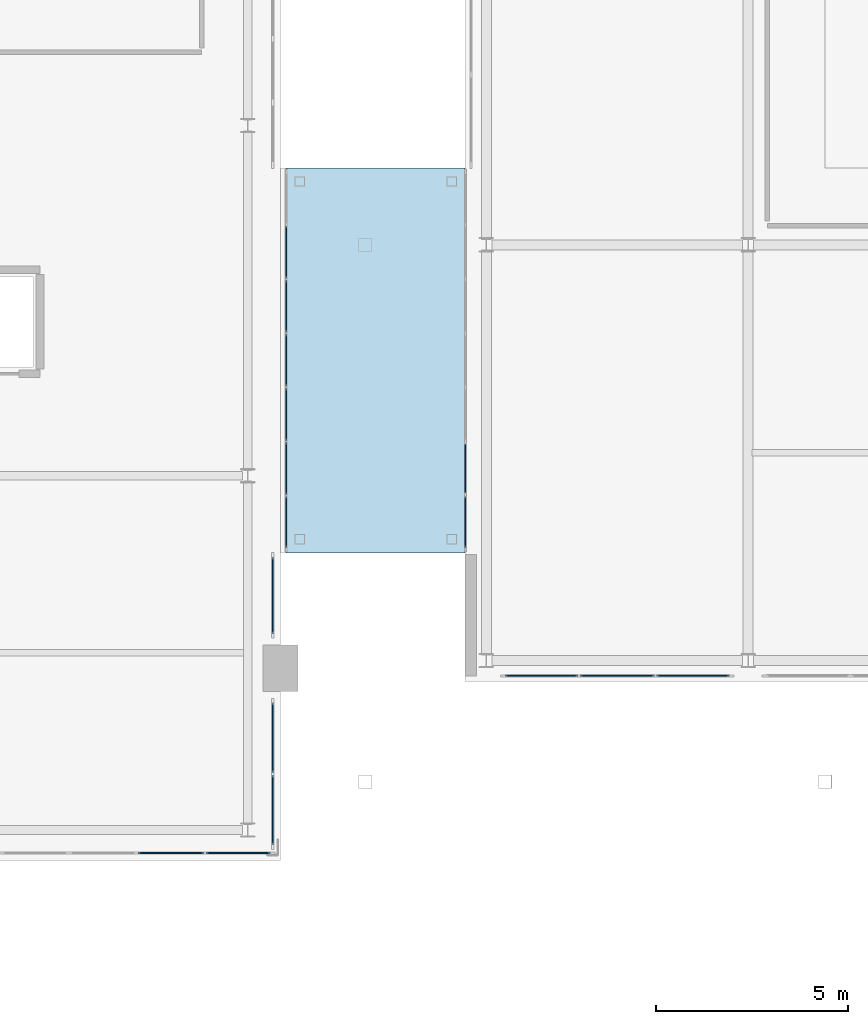
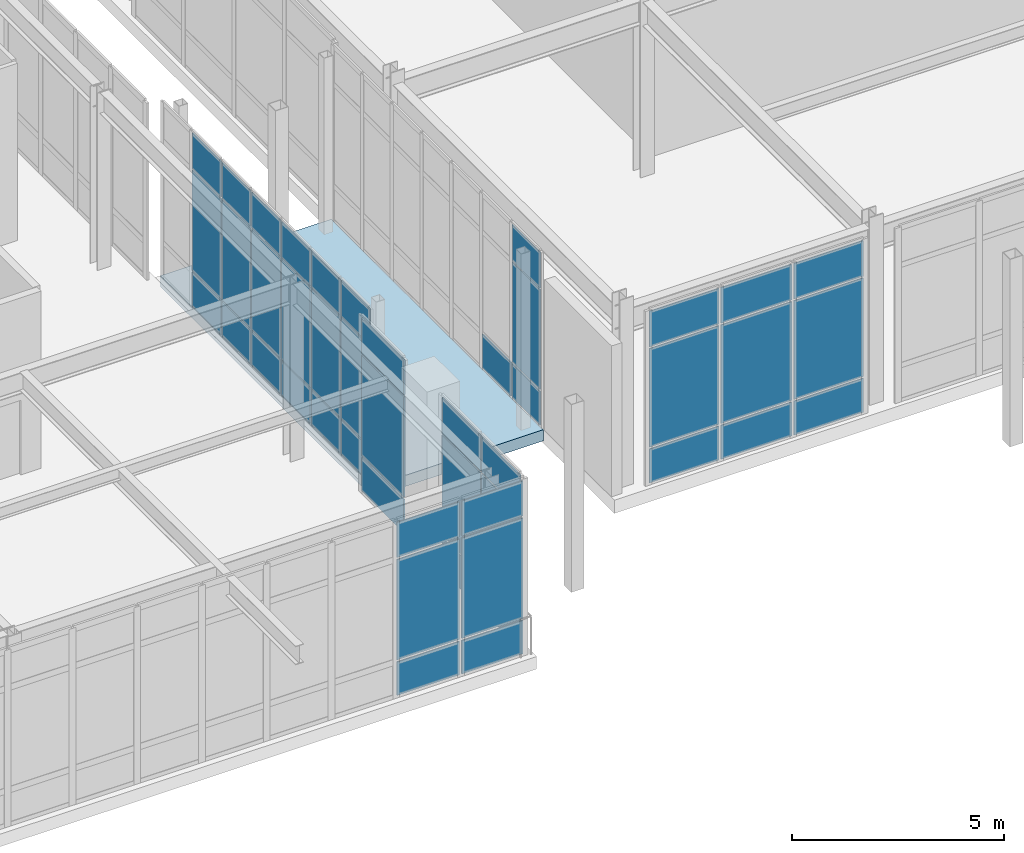
# One storey, part 109 of 159: 46 plates, 1 slab, 6 elements without a shape of their own.
"""IFC4 building model written with IfcOpenShell, lengths in metres."""

from ifc_helpers import new_model, si_unit, derived_unit, direction, frame, origin, origin_2d, place, context, subcontext, project, spatial, polyline, rectangle, outline, extrude, material, layer, layer_set, type_object, element, aggregate, save


model = new_model("IFC4")

# Units and contexts
model_context = context("Model", 3, precision=1e-05, world=origin(), true_north=direction((0.0, 1.0)))
body_context = subcontext(model_context, "Body", "Model", "MODEL_VIEW")
ifc_project = project(units=[si_unit("LENGTHUNIT", "METRE"), si_unit("AREAUNIT", "SQUARE_METRE"), si_unit("VOLUMEUNIT", "CUBIC_METRE"), si_unit("PLANEANGLEUNIT", "RADIAN"), si_unit("MASSUNIT", "GRAM", prefix="KILO"), derived_unit("THERMALTRANSMITTANCEUNIT", [(si_unit("MASSUNIT", "GRAM", prefix="KILO"), 1), (si_unit("TIMEUNIT", "SECOND"), -3), (si_unit("THERMODYNAMICTEMPERATUREUNIT", "KELVIN"), -1)])], contexts=[model_context])

# Site, building, storey
site_placement = place(None, origin())
site = spatial("IfcSite", under=ifc_project, at=site_placement, CompositionType="ELEMENT")
building_placement = place(site_placement, origin())
building = spatial("IfcBuilding", under=site, at=building_placement, Name="Valcora Ridge Arena", CompositionType="ELEMENT")
storey_placement = place(building_placement, frame((0.0, 0.0, 6.0)))
storey = spatial("IfcBuildingStorey", under=building, at=storey_placement, Name="L01", CompositionType="ELEMENT", Elevation=6.0)

# Curtain wall, plate
ifc_material_1 = material(Name="Anodised dark bronze architectural aluminium 6063-T6", Category="aluminium")
ifc_layer_1 = layer(ifc_material_1, 0.14990234375, Name="Anodised dark bronze architectural aluminium 6063-T6")
ifc_layer_set_1 = layer_set([ifc_layer_1], Name="Anodised dark bronze architectural aluminium 6063-T6")
curtain_wall_type_1 = type_object("IfcCurtainWallType", Name="TY-CURTAINWALL-CW-BRG-098X51", PredefinedType="NOTDEFINED", material=ifc_layer_set_1)
curtain_wall_1_placement = place(storey_placement, origin())
curtain_wall_1 = element("IfcCurtainWall", 1, at=curtain_wall_1_placement, inside=storey, type_object=curtain_wall_type_1, Name="CW-BRG-098X51 CW-0352", PredefinedType="NOTDEFINED")
ifc_material_2 = material(Name="Low-iron solar-control double glazing SHGC 0.28", Category="glass")
ifc_layer_2 = layer(ifc_material_2, 0.028076171875, Name="Low-iron solar-control double glazing SHGC 0.28")
ifc_layer_set_2 = layer_set([ifc_layer_2], Name="Low-iron solar-control double glazing SHGC 0.28")
plate_type_1 = type_object("IfcPlateType", Name="TY-PLT-CWP-1331X0975", PredefinedType="CURTAIN_PANEL", material=ifc_layer_set_2)
plate_1_placement = place(storey_placement, frame((132.0, 8.79541015625, 0.050048828125), z_axis=(0.0, 0.0, 1.0), x_axis=(0.0, 1.0, 0.0)))
plate_1 = element("IfcPlate", 2, at=plate_1_placement, type_object=plate_type_1, Name="CW-0352/P00-00", PredefinedType="CURTAIN_PANEL", context=body_context, shape_type="SweptSolid", body=[
    extrude(rectangle(XDim=1.3310546875, YDim=0.028076171875, at=origin_2d()), origin(), (0.0, 0.0, 1.0), 0.97509765625),
])

curtain_wall_2_placement = place(storey_placement, origin())
curtain_wall_2 = element("IfcCurtainWall", 3, at=curtain_wall_2_placement, inside=storey, type_object=curtain_wall_type_1, Name="CW-BRG-098X51 CW-0353", PredefinedType="NOTDEFINED")
plate_2_placement = place(storey_placement, frame((136.64990234375, 8.79541015625, 0.050048828125), z_axis=(0.0, 0.0, 1.0), x_axis=(0.0, 1.0, 0.0)))
plate_2 = element("IfcPlate", 4, at=plate_2_placement, type_object=plate_type_1, Name="CW-0353/P00-00", PredefinedType="CURTAIN_PANEL", context=body_context, shape_type="SweptSolid", body=[
    extrude(rectangle(XDim=1.3310546875, YDim=0.028076171875, at=origin_2d()), origin(), (0.0, 0.0, 1.0), 0.97509765625),
])

# Plate
ifc_layer_3 = layer(ifc_material_2, 0.028076171875, Name="Low-iron solar-control double glazing SHGC 0.28")
ifc_layer_set_3 = layer_set([ifc_layer_3], Name="Low-iron solar-control double glazing SHGC 0.28")
plate_type_2 = type_object("IfcPlateType", Name="TY-PLT-CWP-1331X1025", PredefinedType="CURTAIN_PANEL", material=ifc_layer_set_3)
plate_3_placement = place(storey_placement, frame((132.0, 8.79541015625, 4.005126953125), z_axis=(0.0, 0.0, 1.0), x_axis=(0.0, 1.0, 0.0)))
plate_3 = element("IfcPlate", 5, at=plate_3_placement, type_object=plate_type_2, Name="CW-0352/P00-02", PredefinedType="CURTAIN_PANEL", context=body_context, shape_type="SweptSolid", body=[
    extrude(rectangle(XDim=1.3310546875, YDim=0.028076171875, at=origin_2d()), origin(), (0.0, 0.0, 1.0), 1.02490234375),
])

plate_4_placement = place(storey_placement, frame((136.64990234375, 8.79541015625, 4.005126953125), z_axis=(0.0, 0.0, 1.0), x_axis=(0.0, 1.0, 0.0)))
plate_4 = element("IfcPlate", 6, at=plate_4_placement, type_object=plate_type_2, Name="CW-0353/P00-02", PredefinedType="CURTAIN_PANEL", context=body_context, shape_type="SweptSolid", body=[
    extrude(rectangle(XDim=1.3310546875, YDim=0.028076171875, at=origin_2d()), origin(), (0.0, 0.0, 1.0), 1.02490234375),
])

ifc_layer_4 = layer(ifc_material_2, 0.028076171875, Name="Low-iron solar-control double glazing SHGC 0.28")
ifc_layer_set_4 = layer_set([ifc_layer_4], Name="Low-iron solar-control double glazing SHGC 0.28")
plate_type_3 = type_object("IfcPlateType", Name="TY-PLT-CWP-1331X2880", PredefinedType="CURTAIN_PANEL", material=ifc_layer_set_4)
plate_5_placement = place(storey_placement, frame((132.0, 8.79541015625, 1.074951171875), z_axis=(0.0, 0.0, 1.0), x_axis=(0.0, 1.0, 0.0)))
plate_5 = element("IfcPlate", 7, at=plate_5_placement, type_object=plate_type_3, Name="CW-0352/P00-01", PredefinedType="CURTAIN_PANEL", context=body_context, shape_type="SweptSolid", body=[
    extrude(rectangle(XDim=1.3310546875, YDim=0.028076171875, at=origin_2d()), origin(), (0.0, 0.0, 1.0), 2.8798828125),
])

plate_6_placement = place(storey_placement, frame((136.64990234375, 8.79541015625, 1.074951171875), z_axis=(0.0, 0.0, 1.0), x_axis=(0.0, 1.0, 0.0)))
plate_6 = element("IfcPlate", 8, at=plate_6_placement, type_object=plate_type_3, Name="CW-0353/P00-01", PredefinedType="CURTAIN_PANEL", context=body_context, shape_type="SweptSolid", body=[
    extrude(rectangle(XDim=1.3310546875, YDim=0.028076171875, at=origin_2d()), origin(), (0.0, 0.0, 1.0), 2.8798828125),
])

ifc_layer_5 = layer(ifc_material_2, 0.028076171875, Name="Low-iron solar-control double glazing SHGC 0.28")
ifc_layer_set_5 = layer_set([ifc_layer_5], Name="Low-iron solar-control double glazing SHGC 0.28")
plate_type_4 = type_object("IfcPlateType", Name="TY-PLT-CWP-1355X0975", PredefinedType="CURTAIN_PANEL", material=ifc_layer_set_5)
plate_7_placement = place(storey_placement, frame((132.0, 10.1884765625, 0.050048828125), z_axis=(0.0, 0.0, 1.0), x_axis=(0.0, 1.0, 0.0)))
plate_7 = element("IfcPlate", 9, at=plate_7_placement, type_object=plate_type_4, Name="CW-0352/P01-00", PredefinedType="CURTAIN_PANEL", context=body_context, shape_type="SweptSolid", body=[
    extrude(rectangle(XDim=1.35498046875, YDim=0.028076171875, at=origin_2d()), origin(), (0.0, 0.0, 1.0), 0.97509765625),
])

plate_8_placement = place(storey_placement, frame((132.0, 15.8115234375, 0.050048828125), z_axis=(0.0, 0.0, 1.0), x_axis=(0.0, 1.0, 0.0)))
plate_8 = element("IfcPlate", 10, at=plate_8_placement, type_object=plate_type_4, Name="CW-0352/P05-00", PredefinedType="CURTAIN_PANEL", context=body_context, shape_type="SweptSolid", body=[
    extrude(rectangle(XDim=1.35498046875, YDim=0.028076171875, at=origin_2d()), origin(), (0.0, 0.0, 1.0), 0.97509765625),
])

plate_9_placement = place(storey_placement, frame((136.64990234375, 10.1884765625, 0.050048828125), z_axis=(0.0, 0.0, 1.0), x_axis=(0.0, 1.0, 0.0)))
plate_9 = element("IfcPlate", 11, at=plate_9_placement, type_object=plate_type_4, Name="CW-0353/P01-00", PredefinedType="CURTAIN_PANEL", context=body_context, shape_type="SweptSolid", body=[
    extrude(rectangle(XDim=1.35498046875, YDim=0.028076171875, at=origin_2d()), origin(), (0.0, 0.0, 1.0), 0.97509765625),
])

aggregate(curtain_wall_2, [plate_2, plate_6, plate_4, plate_9])

ifc_layer_6 = layer(ifc_material_2, 0.028076171875, Name="Low-iron solar-control double glazing SHGC 0.28")
ifc_layer_set_6 = layer_set([ifc_layer_6], Name="Low-iron solar-control double glazing SHGC 0.28")
plate_type_5 = type_object("IfcPlateType", Name="TY-PLT-CWP-1355X1025", PredefinedType="CURTAIN_PANEL", material=ifc_layer_set_6)
plate_10_placement = place(storey_placement, frame((132.0, 10.1884765625, 4.005126953125), z_axis=(0.0, 0.0, 1.0), x_axis=(0.0, 1.0, 0.0)))
plate_10 = element("IfcPlate", 12, at=plate_10_placement, type_object=plate_type_5, Name="CW-0352/P01-02", PredefinedType="CURTAIN_PANEL", context=body_context, shape_type="SweptSolid", body=[
    extrude(rectangle(XDim=1.35498046875, YDim=0.028076171875, at=origin_2d()), origin(), (0.0, 0.0, 1.0), 1.02490234375),
])

plate_11_placement = place(storey_placement, frame((132.0, 15.8115234375, 4.005126953125), z_axis=(0.0, 0.0, 1.0), x_axis=(0.0, 1.0, 0.0)))
plate_11 = element("IfcPlate", 13, at=plate_11_placement, type_object=plate_type_5, Name="CW-0352/P05-02", PredefinedType="CURTAIN_PANEL", context=body_context, shape_type="SweptSolid", body=[
    extrude(rectangle(XDim=1.35498046875, YDim=0.028076171875, at=origin_2d()), origin(), (0.0, 0.0, 1.0), 1.02490234375),
])

ifc_layer_7 = layer(ifc_material_2, 0.028076171875, Name="Low-iron solar-control double glazing SHGC 0.28")
ifc_layer_set_7 = layer_set([ifc_layer_7], Name="Low-iron solar-control double glazing SHGC 0.28")
plate_type_6 = type_object("IfcPlateType", Name="TY-PLT-CWP-1355X2880", PredefinedType="CURTAIN_PANEL", material=ifc_layer_set_7)
plate_12_placement = place(storey_placement, frame((132.0, 10.1884765625, 1.074951171875), z_axis=(0.0, 0.0, 1.0), x_axis=(0.0, 1.0, 0.0)))
plate_12 = element("IfcPlate", 14, at=plate_12_placement, type_object=plate_type_6, Name="CW-0352/P01-01", PredefinedType="CURTAIN_PANEL", context=body_context, shape_type="SweptSolid", body=[
    extrude(rectangle(XDim=1.35498046875, YDim=0.028076171875, at=origin_2d()), origin(), (0.0, 0.0, 1.0), 2.8798828125),
])

plate_13_placement = place(storey_placement, frame((132.0, 15.8115234375, 1.074951171875), z_axis=(0.0, 0.0, 1.0), x_axis=(0.0, 1.0, 0.0)))
plate_13 = element("IfcPlate", 15, at=plate_13_placement, type_object=plate_type_6, Name="CW-0352/P05-01", PredefinedType="CURTAIN_PANEL", context=body_context, shape_type="SweptSolid", body=[
    extrude(rectangle(XDim=1.35498046875, YDim=0.028076171875, at=origin_2d()), origin(), (0.0, 0.0, 1.0), 2.8798828125),
])

ifc_layer_8 = layer(ifc_material_2, 0.028076171875, Name="Low-iron solar-control double glazing SHGC 0.28")
ifc_layer_set_8 = layer_set([ifc_layer_8], Name="Low-iron solar-control double glazing SHGC 0.28")
plate_type_7 = type_object("IfcPlateType", Name="TY-PLT-CWP-1356X0975", PredefinedType="CURTAIN_PANEL", material=ifc_layer_set_8)
plate_14_placement = place(storey_placement, frame((132.0, 11.593994140625, 0.050048828125), z_axis=(0.0, 0.0, 1.0), x_axis=(0.0, 1.0, 0.0)))
plate_14 = element("IfcPlate", 16, at=plate_14_placement, type_object=plate_type_7, Name="CW-0352/P02-00", PredefinedType="CURTAIN_PANEL", context=body_context, shape_type="SweptSolid", body=[
    extrude(rectangle(XDim=1.35595703125, YDim=0.028076171875, at=origin_2d()), origin(), (0.0, 0.0, 1.0), 0.97509765625),
])

plate_15_placement = place(storey_placement, frame((132.0, 13.0, 0.050048828125), z_axis=(0.0, 0.0, 1.0), x_axis=(0.0, 1.0, 0.0)))
plate_15 = element("IfcPlate", 17, at=plate_15_placement, type_object=plate_type_7, Name="CW-0352/P03-00", PredefinedType="CURTAIN_PANEL", context=body_context, shape_type="SweptSolid", body=[
    extrude(rectangle(XDim=1.35595703125, YDim=0.028076171875, at=origin_2d()), origin(), (0.0, 0.0, 1.0), 0.97509765625),
])

plate_16_placement = place(storey_placement, frame((132.0, 14.406005859375, 0.050048828125), z_axis=(0.0, 0.0, 1.0), x_axis=(0.0, 1.0, 0.0)))
plate_16 = element("IfcPlate", 18, at=plate_16_placement, type_object=plate_type_7, Name="CW-0352/P04-00", PredefinedType="CURTAIN_PANEL", context=body_context, shape_type="SweptSolid", body=[
    extrude(rectangle(XDim=1.35595703125, YDim=0.028076171875, at=origin_2d()), origin(), (0.0, 0.0, 1.0), 0.97509765625),
])

ifc_layer_9 = layer(ifc_material_2, 0.028076171875, Name="Low-iron solar-control double glazing SHGC 0.28")
ifc_layer_set_9 = layer_set([ifc_layer_9], Name="Low-iron solar-control double glazing SHGC 0.28")
plate_type_8 = type_object("IfcPlateType", Name="TY-PLT-CWP-1356X1025", PredefinedType="CURTAIN_PANEL", material=ifc_layer_set_9)
plate_17_placement = place(storey_placement, frame((132.0, 11.593994140625, 4.005126953125), z_axis=(0.0, 0.0, 1.0), x_axis=(0.0, 1.0, 0.0)))
plate_17 = element("IfcPlate", 19, at=plate_17_placement, type_object=plate_type_8, Name="CW-0352/P02-02", PredefinedType="CURTAIN_PANEL", context=body_context, shape_type="SweptSolid", body=[
    extrude(rectangle(XDim=1.35595703125, YDim=0.028076171875, at=origin_2d()), origin(), (0.0, 0.0, 1.0), 1.02490234375),
])

plate_18_placement = place(storey_placement, frame((132.0, 13.0, 4.005126953125), z_axis=(0.0, 0.0, 1.0), x_axis=(0.0, 1.0, 0.0)))
plate_18 = element("IfcPlate", 20, at=plate_18_placement, type_object=plate_type_8, Name="CW-0352/P03-02", PredefinedType="CURTAIN_PANEL", context=body_context, shape_type="SweptSolid", body=[
    extrude(rectangle(XDim=1.35595703125, YDim=0.028076171875, at=origin_2d()), origin(), (0.0, 0.0, 1.0), 1.02490234375),
])

plate_19_placement = place(storey_placement, frame((132.0, 14.406005859375, 4.005126953125), z_axis=(0.0, 0.0, 1.0), x_axis=(0.0, 1.0, 0.0)))
plate_19 = element("IfcPlate", 21, at=plate_19_placement, type_object=plate_type_8, Name="CW-0352/P04-02", PredefinedType="CURTAIN_PANEL", context=body_context, shape_type="SweptSolid", body=[
    extrude(rectangle(XDim=1.35595703125, YDim=0.028076171875, at=origin_2d()), origin(), (0.0, 0.0, 1.0), 1.02490234375),
])

ifc_layer_10 = layer(ifc_material_2, 0.028076171875, Name="Low-iron solar-control double glazing SHGC 0.28")
ifc_layer_set_10 = layer_set([ifc_layer_10], Name="Low-iron solar-control double glazing SHGC 0.28")
plate_type_9 = type_object("IfcPlateType", Name="TY-PLT-CWP-1356X2880", PredefinedType="CURTAIN_PANEL", material=ifc_layer_set_10)
plate_20_placement = place(storey_placement, frame((132.0, 11.593994140625, 1.074951171875), z_axis=(0.0, 0.0, 1.0), x_axis=(0.0, 1.0, 0.0)))
plate_20 = element("IfcPlate", 22, at=plate_20_placement, type_object=plate_type_9, Name="CW-0352/P02-01", PredefinedType="CURTAIN_PANEL", context=body_context, shape_type="SweptSolid", body=[
    extrude(rectangle(XDim=1.35595703125, YDim=0.028076171875, at=origin_2d()), origin(), (0.0, 0.0, 1.0), 2.8798828125),
])

plate_21_placement = place(storey_placement, frame((132.0, 13.0, 1.074951171875), z_axis=(0.0, 0.0, 1.0), x_axis=(0.0, 1.0, 0.0)))
plate_21 = element("IfcPlate", 23, at=plate_21_placement, type_object=plate_type_9, Name="CW-0352/P03-01", PredefinedType="CURTAIN_PANEL", context=body_context, shape_type="SweptSolid", body=[
    extrude(rectangle(XDim=1.35595703125, YDim=0.028076171875, at=origin_2d()), origin(), (0.0, 0.0, 1.0), 2.8798828125),
])

plate_22_placement = place(storey_placement, frame((132.0, 14.406005859375, 1.074951171875), z_axis=(0.0, 0.0, 1.0), x_axis=(0.0, 1.0, 0.0)))
plate_22 = element("IfcPlate", 24, at=plate_22_placement, type_object=plate_type_9, Name="CW-0352/P04-01", PredefinedType="CURTAIN_PANEL", context=body_context, shape_type="SweptSolid", body=[
    extrude(rectangle(XDim=1.35595703125, YDim=0.028076171875, at=origin_2d()), origin(), (0.0, 0.0, 1.0), 2.8798828125),
])

aggregate(curtain_wall_1, [plate_1, plate_5, plate_3, plate_7, plate_12, plate_10, plate_14, plate_20, plate_17, plate_15, plate_21, plate_18, plate_16, plate_22, plate_19, plate_8, plate_13, plate_11])

# Curtain wall, plates
ifc_layer_11 = layer(ifc_material_1, 0.179931640625, Name="Anodised dark bronze architectural aluminium 6063-T6")
ifc_layer_set_11 = layer_set([ifc_layer_11], Name="Anodised dark bronze architectural aluminium 6063-T6")
curtain_wall_type_2 = type_object("IfcCurtainWallType", Name="TY-CURTAINWALL-CW-V3-LANCET-335X51", PredefinedType="NOTDEFINED", material=ifc_layer_set_11)
curtain_wall_3_placement = place(storey_placement, origin())
curtain_wall_3 = element("IfcCurtainWall", 25, at=curtain_wall_3_placement, inside=storey, type_object=curtain_wall_type_2, Name="CW-V3-LANCET-335X51 CW-0011", PredefinedType="NOTDEFINED")
ifc_layer_12 = layer(ifc_material_2, 0.031982421875, Name="Low-iron solar-control double glazing SHGC 0.28")
ifc_layer_set_12 = layer_set([ifc_layer_12], Name="Low-iron solar-control double glazing SHGC 0.28")
plate_type_10 = type_object("IfcPlateType", Name="TY-PLT-CWP-1673X0960", PredefinedType="CURTAIN_PANEL", material=ifc_layer_set_12)
plate_23_placement = place(storey_placement, frame((130.75341796875, 0.199951171875, 0.06005859375), z_axis=(0.0, 0.0, 1.0), x_axis=(1.0, 0.0, 0.0)))
plate_23 = element("IfcPlate", 26, at=plate_23_placement, type_object=plate_type_10, Name="CW-0011/P18-00", PredefinedType="CURTAIN_PANEL", context=body_context, shape_type="SweptSolid", body=[
    extrude(rectangle(XDim=1.673095703125, YDim=0.031982421875, at=origin_2d()), origin(), (0.0, 0.0, 1.0), 0.9599609375),
])
ifc_layer_13 = layer(ifc_material_2, 0.031982421875, Name="Low-iron solar-control double glazing SHGC 0.28")
ifc_layer_set_13 = layer_set([ifc_layer_13], Name="Low-iron solar-control double glazing SHGC 0.28")
plate_type_11 = type_object("IfcPlateType", Name="TY-PLT-CWP-1673X1010", PredefinedType="CURTAIN_PANEL", material=ifc_layer_set_13)
plate_24_placement = place(storey_placement, frame((130.75341796875, 0.199951171875, 4.02978515625), z_axis=(0.0, 0.0, 1.0), x_axis=(1.0, 0.0, 0.0)))
plate_24 = element("IfcPlate", 27, at=plate_24_placement, type_object=plate_type_11, Name="CW-0011/P18-02", PredefinedType="CURTAIN_PANEL", context=body_context, shape_type="SweptSolid", body=[
    extrude(rectangle(XDim=1.673095703125, YDim=0.031982421875, at=origin_2d()), origin(), (0.0, 0.0, 1.0), 1.010009765625),
])
ifc_layer_14 = layer(ifc_material_2, 0.031982421875, Name="Low-iron solar-control double glazing SHGC 0.28")
ifc_layer_set_14 = layer_set([ifc_layer_14], Name="Low-iron solar-control double glazing SHGC 0.28")
plate_type_12 = type_object("IfcPlateType", Name="TY-PLT-CWP-1673X2890", PredefinedType="CURTAIN_PANEL", material=ifc_layer_set_14)
plate_25_placement = place(storey_placement, frame((130.75341796875, 0.199951171875, 1.080078125), z_axis=(0.0, 0.0, 1.0), x_axis=(1.0, 0.0, 0.0)))
plate_25 = element("IfcPlate", 28, at=plate_25_placement, type_object=plate_type_12, Name="CW-0011/P18-01", PredefinedType="CURTAIN_PANEL", context=body_context, shape_type="SweptSolid", body=[
    extrude(rectangle(XDim=1.673095703125, YDim=0.031982421875, at=origin_2d()), origin(), (0.0, 0.0, 1.0), 2.889892578125),
])
ifc_layer_15 = layer(ifc_material_2, 0.031982421875, Name="Low-iron solar-control double glazing SHGC 0.28")
ifc_layer_set_15 = layer_set([ifc_layer_15], Name="Low-iron solar-control double glazing SHGC 0.28")
plate_type_13 = type_object("IfcPlateType", Name="TY-PLT-CWP-1703X0960", PredefinedType="CURTAIN_PANEL", material=ifc_layer_set_15)
plate_26_placement = place(storey_placement, frame((129.005615234375, 0.199951171875, 0.06005859375), z_axis=(0.0, 0.0, 1.0), x_axis=(1.0, 0.0, 0.0)))
plate_26 = element("IfcPlate", 29, at=plate_26_placement, type_object=plate_type_13, Name="CW-0011/P17-00", PredefinedType="CURTAIN_PANEL", context=body_context, shape_type="SweptSolid", body=[
    extrude(rectangle(XDim=1.702880859375, YDim=0.031982421875, at=origin_2d()), origin(), (0.0, 0.0, 1.0), 0.9599609375),
])
ifc_layer_16 = layer(ifc_material_2, 0.031982421875, Name="Low-iron solar-control double glazing SHGC 0.28")
ifc_layer_set_16 = layer_set([ifc_layer_16], Name="Low-iron solar-control double glazing SHGC 0.28")
plate_type_14 = type_object("IfcPlateType", Name="TY-PLT-CWP-1703X1010", PredefinedType="CURTAIN_PANEL", material=ifc_layer_set_16)
plate_27_placement = place(storey_placement, frame((129.005615234375, 0.199951171875, 4.02978515625), z_axis=(0.0, 0.0, 1.0), x_axis=(1.0, 0.0, 0.0)))
plate_27 = element("IfcPlate", 30, at=plate_27_placement, type_object=plate_type_14, Name="CW-0011/P17-02", PredefinedType="CURTAIN_PANEL", context=body_context, shape_type="SweptSolid", body=[
    extrude(rectangle(XDim=1.702880859375, YDim=0.031982421875, at=origin_2d()), origin(), (0.0, 0.0, 1.0), 1.010009765625),
])
ifc_layer_17 = layer(ifc_material_2, 0.031982421875, Name="Low-iron solar-control double glazing SHGC 0.28")
ifc_layer_set_17 = layer_set([ifc_layer_17], Name="Low-iron solar-control double glazing SHGC 0.28")
plate_type_15 = type_object("IfcPlateType", Name="TY-PLT-CWP-1703X2890", PredefinedType="CURTAIN_PANEL", material=ifc_layer_set_17)
plate_28_placement = place(storey_placement, frame((129.005615234375, 0.199951171875, 1.080078125), z_axis=(0.0, 0.0, 1.0), x_axis=(1.0, 0.0, 0.0)))
plate_28 = element("IfcPlate", 31, at=plate_28_placement, type_object=plate_type_15, Name="CW-0011/P17-01", PredefinedType="CURTAIN_PANEL", context=body_context, shape_type="SweptSolid", body=[
    extrude(rectangle(XDim=1.702880859375, YDim=0.031982421875, at=origin_2d()), origin(), (0.0, 0.0, 1.0), 2.889892578125),
])
aggregate(curtain_wall_3, [plate_26, plate_28, plate_27, plate_23, plate_25, plate_24])

ifc_layer_18 = layer(ifc_material_1, 0.179931640625, Name="Anodised dark bronze architectural aluminium 6063-T6")
ifc_layer_set_18 = layer_set([ifc_layer_18], Name="Anodised dark bronze architectural aluminium 6063-T6")
curtain_wall_type_3 = type_object("IfcCurtainWallType", Name="TY-CURTAINWALL-CW-V3-LANCET-038X51", PredefinedType="NOTDEFINED", material=ifc_layer_set_18)
curtain_wall_4_placement = place(storey_placement, origin())
curtain_wall_4 = element("IfcCurtainWall", 32, at=curtain_wall_4_placement, inside=storey, type_object=curtain_wall_type_3, Name="CW-V3-LANCET-038X51 CW-0012", PredefinedType="NOTDEFINED")
ifc_layer_19 = layer(ifc_material_2, 0.031982421875, Name="Low-iron solar-control double glazing SHGC 0.28")
ifc_layer_set_19 = layer_set([ifc_layer_19], Name="Low-iron solar-control double glazing SHGC 0.28")
plate_type_16 = type_object("IfcPlateType", Name="TY-PLT-CWP-1815X0960", PredefinedType="CURTAIN_PANEL", material=ifc_layer_set_19)
plate_29_placement = place(storey_placement, frame((131.64990234375, 1.3173828125, 0.06005859375), z_axis=(0.0, 0.0, 1.0), x_axis=(0.0, 1.0, 0.0)))
plate_29 = element("IfcPlate", 33, at=plate_29_placement, type_object=plate_type_16, Name="CW-0012/P00-00", PredefinedType="CURTAIN_PANEL", context=body_context, shape_type="SweptSolid", body=[
    extrude(rectangle(XDim=1.81494140625, YDim=0.031982421875, at=origin_2d()), origin(), (0.0, 0.0, 1.0), 0.9599609375),
])
plate_30_placement = place(storey_placement, frame((131.64990234375, 3.1923828125, 0.06005859375), z_axis=(0.0, 0.0, 1.0), x_axis=(0.0, 1.0, 0.0)))
plate_30 = element("IfcPlate", 34, at=plate_30_placement, type_object=plate_type_16, Name="CW-0012/P01-00", PredefinedType="CURTAIN_PANEL", context=body_context, shape_type="SweptSolid", body=[
    extrude(rectangle(XDim=1.81494140625, YDim=0.031982421875, at=origin_2d()), origin(), (0.0, 0.0, 1.0), 0.9599609375),
])
ifc_layer_20 = layer(ifc_material_2, 0.031982421875, Name="Low-iron solar-control double glazing SHGC 0.28")
ifc_layer_set_20 = layer_set([ifc_layer_20], Name="Low-iron solar-control double glazing SHGC 0.28")
plate_type_17 = type_object("IfcPlateType", Name="TY-PLT-CWP-1815X1010", PredefinedType="CURTAIN_PANEL", material=ifc_layer_set_20)
plate_31_placement = place(storey_placement, frame((131.64990234375, 1.3173828125, 4.02978515625), z_axis=(0.0, 0.0, 1.0), x_axis=(0.0, 1.0, 0.0)))
plate_31 = element("IfcPlate", 35, at=plate_31_placement, type_object=plate_type_17, Name="CW-0012/P00-02", PredefinedType="CURTAIN_PANEL", context=body_context, shape_type="SweptSolid", body=[
    extrude(rectangle(XDim=1.81494140625, YDim=0.031982421875, at=origin_2d()), origin(), (0.0, 0.0, 1.0), 1.010009765625),
])
plate_32_placement = place(storey_placement, frame((131.64990234375, 3.1923828125, 4.02978515625), z_axis=(0.0, 0.0, 1.0), x_axis=(0.0, 1.0, 0.0)))
plate_32 = element("IfcPlate", 36, at=plate_32_placement, type_object=plate_type_17, Name="CW-0012/P01-02", PredefinedType="CURTAIN_PANEL", context=body_context, shape_type="SweptSolid", body=[
    extrude(rectangle(XDim=1.81494140625, YDim=0.031982421875, at=origin_2d()), origin(), (0.0, 0.0, 1.0), 1.010009765625),
])
ifc_layer_21 = layer(ifc_material_2, 0.031982421875, Name="Low-iron solar-control double glazing SHGC 0.28")
ifc_layer_set_21 = layer_set([ifc_layer_21], Name="Low-iron solar-control double glazing SHGC 0.28")
plate_type_18 = type_object("IfcPlateType", Name="TY-PLT-CWP-1815X2890", PredefinedType="CURTAIN_PANEL", material=ifc_layer_set_21)
plate_33_placement = place(storey_placement, frame((131.64990234375, 1.3173828125, 1.080078125), z_axis=(0.0, 0.0, 1.0), x_axis=(0.0, 1.0, 0.0)))
plate_33 = element("IfcPlate", 37, at=plate_33_placement, type_object=plate_type_18, Name="CW-0012/P00-01", PredefinedType="CURTAIN_PANEL", context=body_context, shape_type="SweptSolid", body=[
    extrude(rectangle(XDim=1.81494140625, YDim=0.031982421875, at=origin_2d()), origin(), (0.0, 0.0, 1.0), 2.889892578125),
])
plate_34_placement = place(storey_placement, frame((131.64990234375, 3.1923828125, 1.080078125), z_axis=(0.0, 0.0, 1.0), x_axis=(0.0, 1.0, 0.0)))
plate_34 = element("IfcPlate", 38, at=plate_34_placement, type_object=plate_type_18, Name="CW-0012/P01-01", PredefinedType="CURTAIN_PANEL", context=body_context, shape_type="SweptSolid", body=[
    extrude(rectangle(XDim=1.81494140625, YDim=0.031982421875, at=origin_2d()), origin(), (0.0, 0.0, 1.0), 2.889892578125),
])
aggregate(curtain_wall_4, [plate_29, plate_33, plate_31, plate_30, plate_34, plate_32])

ifc_layer_22 = layer(ifc_material_1, 0.179931640625, Name="Anodised dark bronze architectural aluminium 6063-T6")
ifc_layer_set_22 = layer_set([ifc_layer_22], Name="Anodised dark bronze architectural aluminium 6063-T6")
curtain_wall_type_4 = type_object("IfcCurtainWallType", Name="TY-CURTAINWALL-CW-V2-GLAZ-059X50", PredefinedType="NOTDEFINED", material=ifc_layer_set_22)
curtain_wall_5_placement = place(storey_placement, origin())
curtain_wall_5 = element("IfcCurtainWall", 39, at=curtain_wall_5_placement, inside=storey, type_object=curtain_wall_type_4, Name="CW-V2-GLAZ-059X50 CW-0044", PredefinedType="NOTDEFINED")
ifc_layer_23 = layer(ifc_material_2, 0.028076171875, Name="Low-iron solar-control double glazing SHGC 0.28")
ifc_layer_set_23 = layer_set([ifc_layer_23], Name="Low-iron solar-control double glazing SHGC 0.28")
plate_type_19 = type_object("IfcPlateType", Name="TY-PLT-CWP-1892X0975", PredefinedType="CURTAIN_PANEL", material=ifc_layer_set_23)
plate_35_placement = place(storey_placement, frame((138.633056640625, 4.800048828125, 0.050048828125), z_axis=(0.0, 0.0, 1.0), x_axis=(1.0, 0.0, 0.0)))
plate_35 = element("IfcPlate", 40, at=plate_35_placement, type_object=plate_type_19, Name="CW-0044/P00-00", PredefinedType="CURTAIN_PANEL", context=body_context, shape_type="SweptSolid", body=[
    extrude(rectangle(XDim=1.89208984375, YDim=0.028076171875, at=origin_2d()), origin(), (0.0, 0.0, 1.0), 0.97509765625),
])
plate_36_placement = place(storey_placement, frame((142.56689453125, 4.800048828125, 0.050048828125), z_axis=(0.0, 0.0, 1.0), x_axis=(1.0, 0.0, 0.0)))
plate_36 = element("IfcPlate", 41, at=plate_36_placement, type_object=plate_type_19, Name="CW-0044/P02-00", PredefinedType="CURTAIN_PANEL", context=body_context, shape_type="SweptSolid", body=[
    extrude(rectangle(XDim=1.89208984375, YDim=0.028076171875, at=origin_2d()), origin(), (0.0, 0.0, 1.0), 0.97509765625),
])
ifc_layer_24 = layer(ifc_material_2, 0.028076171875, Name="Low-iron solar-control double glazing SHGC 0.28")
ifc_layer_set_24 = layer_set([ifc_layer_24], Name="Low-iron solar-control double glazing SHGC 0.28")
plate_type_20 = type_object("IfcPlateType", Name="TY-PLT-CWP-1892X1025", PredefinedType="CURTAIN_PANEL", material=ifc_layer_set_24)
plate_37_placement = place(storey_placement, frame((138.633056640625, 4.800048828125, 3.965087890625), z_axis=(0.0, 0.0, 1.0), x_axis=(1.0, 0.0, 0.0)))
plate_37 = element("IfcPlate", 42, at=plate_37_placement, type_object=plate_type_20, Name="CW-0044/P00-02", PredefinedType="CURTAIN_PANEL", context=body_context, shape_type="SweptSolid", body=[
    extrude(rectangle(XDim=1.89208984375, YDim=0.028076171875, at=origin_2d()), origin(), (0.0, 0.0, 1.0), 1.02490234375),
])
plate_38_placement = place(storey_placement, frame((142.56689453125, 4.800048828125, 3.965087890625), z_axis=(0.0, 0.0, 1.0), x_axis=(1.0, 0.0, 0.0)))
plate_38 = element("IfcPlate", 43, at=plate_38_placement, type_object=plate_type_20, Name="CW-0044/P02-02", PredefinedType="CURTAIN_PANEL", context=body_context, shape_type="SweptSolid", body=[
    extrude(rectangle(XDim=1.89208984375, YDim=0.028076171875, at=origin_2d()), origin(), (0.0, 0.0, 1.0), 1.02490234375),
])
ifc_layer_25 = layer(ifc_material_2, 0.028076171875, Name="Low-iron solar-control double glazing SHGC 0.28")
ifc_layer_set_25 = layer_set([ifc_layer_25], Name="Low-iron solar-control double glazing SHGC 0.28")
plate_type_21 = type_object("IfcPlateType", Name="TY-PLT-CWP-1892X2840", PredefinedType="CURTAIN_PANEL", material=ifc_layer_set_25)
plate_39_placement = place(storey_placement, frame((138.633056640625, 4.800048828125, 1.0751953125), z_axis=(0.0, 0.0, 1.0), x_axis=(1.0, 0.0, 0.0)))
plate_39 = element("IfcPlate", 44, at=plate_39_placement, type_object=plate_type_21, Name="CW-0044/P00-01", PredefinedType="CURTAIN_PANEL", context=body_context, shape_type="SweptSolid", body=[
    extrude(rectangle(XDim=1.89208984375, YDim=0.028076171875, at=origin_2d()), origin(), (0.0, 0.0, 1.0), 2.840087890625),
])
plate_40_placement = place(storey_placement, frame((142.56689453125, 4.800048828125, 1.0751953125), z_axis=(0.0, 0.0, 1.0), x_axis=(1.0, 0.0, 0.0)))
plate_40 = element("IfcPlate", 45, at=plate_40_placement, type_object=plate_type_21, Name="CW-0044/P02-01", PredefinedType="CURTAIN_PANEL", context=body_context, shape_type="SweptSolid", body=[
    extrude(rectangle(XDim=1.89208984375, YDim=0.028076171875, at=origin_2d()), origin(), (0.0, 0.0, 1.0), 2.840087890625),
])
ifc_layer_26 = layer(ifc_material_2, 0.028076171875, Name="Low-iron solar-control double glazing SHGC 0.28")
ifc_layer_set_26 = layer_set([ifc_layer_26], Name="Low-iron solar-control double glazing SHGC 0.28")
plate_type_22 = type_object("IfcPlateType", Name="TY-PLT-CWP-1922X0975", PredefinedType="CURTAIN_PANEL", material=ifc_layer_set_26)
plate_41_placement = place(storey_placement, frame((140.60009765625, 4.800048828125, 0.050048828125), z_axis=(0.0, 0.0, 1.0), x_axis=(1.0, 0.0, 0.0)))
plate_41 = element("IfcPlate", 46, at=plate_41_placement, type_object=plate_type_22, Name="CW-0044/P01-00", PredefinedType="CURTAIN_PANEL", context=body_context, shape_type="SweptSolid", body=[
    extrude(rectangle(XDim=1.922119140625, YDim=0.028076171875, at=origin_2d()), origin(), (0.0, 0.0, 1.0), 0.97509765625),
])
ifc_layer_27 = layer(ifc_material_2, 0.028076171875, Name="Low-iron solar-control double glazing SHGC 0.28")
ifc_layer_set_27 = layer_set([ifc_layer_27], Name="Low-iron solar-control double glazing SHGC 0.28")
plate_type_23 = type_object("IfcPlateType", Name="TY-PLT-CWP-1922X1025", PredefinedType="CURTAIN_PANEL", material=ifc_layer_set_27)
plate_42_placement = place(storey_placement, frame((140.60009765625, 4.800048828125, 3.965087890625), z_axis=(0.0, 0.0, 1.0), x_axis=(1.0, 0.0, 0.0)))
plate_42 = element("IfcPlate", 47, at=plate_42_placement, type_object=plate_type_23, Name="CW-0044/P01-02", PredefinedType="CURTAIN_PANEL", context=body_context, shape_type="SweptSolid", body=[
    extrude(rectangle(XDim=1.922119140625, YDim=0.028076171875, at=origin_2d()), origin(), (0.0, 0.0, 1.0), 1.02490234375),
])
ifc_layer_28 = layer(ifc_material_2, 0.028076171875, Name="Low-iron solar-control double glazing SHGC 0.28")
ifc_layer_set_28 = layer_set([ifc_layer_28], Name="Low-iron solar-control double glazing SHGC 0.28")
plate_type_24 = type_object("IfcPlateType", Name="TY-PLT-CWP-1922X2840", PredefinedType="CURTAIN_PANEL", material=ifc_layer_set_28)
plate_43_placement = place(storey_placement, frame((140.60009765625, 4.800048828125, 1.0751953125), z_axis=(0.0, 0.0, 1.0), x_axis=(1.0, 0.0, 0.0)))
plate_43 = element("IfcPlate", 48, at=plate_43_placement, type_object=plate_type_24, Name="CW-0044/P01-01", PredefinedType="CURTAIN_PANEL", context=body_context, shape_type="SweptSolid", body=[
    extrude(rectangle(XDim=1.922119140625, YDim=0.028076171875, at=origin_2d()), origin(), (0.0, 0.0, 1.0), 2.840087890625),
])
aggregate(curtain_wall_5, [plate_35, plate_39, plate_37, plate_41, plate_43, plate_42, plate_36, plate_40, plate_38])

ifc_layer_29 = layer(ifc_material_1, 0.179931640625, Name="Anodised dark bronze architectural aluminium 6063-T6")
ifc_layer_set_29 = layer_set([ifc_layer_29], Name="Anodised dark bronze architectural aluminium 6063-T6")
curtain_wall_type_5 = type_object("IfcCurtainWallType", Name="TY-CURTAINWALL-CW-V3-LANCET-021X51", PredefinedType="NOTDEFINED", material=ifc_layer_set_29)
curtain_wall_6_placement = place(storey_placement, origin())
curtain_wall_6 = element("IfcCurtainWall", 49, at=curtain_wall_6_placement, inside=storey, type_object=curtain_wall_type_5, Name="CW-V3-LANCET-021X51 CW-0013", PredefinedType="NOTDEFINED")
ifc_layer_30 = layer(ifc_material_2, 0.031982421875, Name="Low-iron solar-control double glazing SHGC 0.28")
ifc_layer_set_30 = layer_set([ifc_layer_30], Name="Low-iron solar-control double glazing SHGC 0.28")
plate_type_25 = type_object("IfcPlateType", Name="TY-PLT-CWP-1990X0960", PredefinedType="CURTAIN_PANEL", material=ifc_layer_set_30)
plate_44_placement = place(storey_placement, frame((131.64990234375, 6.89501953125, 0.06005859375), z_axis=(0.0, 0.0, 1.0), x_axis=(0.0, 1.0, 0.0)))
plate_44 = element("IfcPlate", 50, at=plate_44_placement, type_object=plate_type_25, Name="CW-0013/P00-00", PredefinedType="CURTAIN_PANEL", context=body_context, shape_type="SweptSolid", body=[
    extrude(rectangle(XDim=1.989990234375, YDim=0.031982421875, at=origin_2d()), origin(), (0.0, 0.0, 1.0), 0.9599609375),
])
ifc_layer_31 = layer(ifc_material_2, 0.031982421875, Name="Low-iron solar-control double glazing SHGC 0.28")
ifc_layer_set_31 = layer_set([ifc_layer_31], Name="Low-iron solar-control double glazing SHGC 0.28")
plate_type_26 = type_object("IfcPlateType", Name="TY-PLT-CWP-1990X1010", PredefinedType="CURTAIN_PANEL", material=ifc_layer_set_31)
plate_45_placement = place(storey_placement, frame((131.64990234375, 6.89501953125, 4.02978515625), z_axis=(0.0, 0.0, 1.0), x_axis=(0.0, 1.0, 0.0)))
plate_45 = element("IfcPlate", 51, at=plate_45_placement, type_object=plate_type_26, Name="CW-0013/P00-02", PredefinedType="CURTAIN_PANEL", context=body_context, shape_type="SweptSolid", body=[
    extrude(rectangle(XDim=1.989990234375, YDim=0.031982421875, at=origin_2d()), origin(), (0.0, 0.0, 1.0), 1.010009765625),
])
ifc_layer_32 = layer(ifc_material_2, 0.031982421875, Name="Low-iron solar-control double glazing SHGC 0.28")
ifc_layer_set_32 = layer_set([ifc_layer_32], Name="Low-iron solar-control double glazing SHGC 0.28")
plate_type_27 = type_object("IfcPlateType", Name="TY-PLT-CWP-1990X2890", PredefinedType="CURTAIN_PANEL", material=ifc_layer_set_32)
plate_46_placement = place(storey_placement, frame((131.64990234375, 6.89501953125, 1.080078125), z_axis=(0.0, 0.0, 1.0), x_axis=(0.0, 1.0, 0.0)))
plate_46 = element("IfcPlate", 52, at=plate_46_placement, type_object=plate_type_27, Name="CW-0013/P00-01", PredefinedType="CURTAIN_PANEL", context=body_context, shape_type="SweptSolid", body=[
    extrude(rectangle(XDim=1.989990234375, YDim=0.031982421875, at=origin_2d()), origin(), (0.0, 0.0, 1.0), 2.889892578125),
])
aggregate(curtain_wall_6, [plate_44, plate_46, plate_45])

# Slab
ifc_material_3 = material(Name="Concrete C40/50", Category="concrete")
ifc_layer_33 = layer(ifc_material_3, 0.320068359375, Name="Concrete C40/50")
ifc_layer_set_33 = layer_set([ifc_layer_33], Name="Concrete C40/50")
slab_type = type_object("IfcSlabType", Name="TY-SLAB-SL-BRG-SJ2-L01", PredefinedType="FLOOR", material=ifc_layer_set_33)
slab_placement = place(storey_placement, frame((0.0, 0.0, -0.320068359375)))
element("IfcSlab", 53, at=slab_placement, inside=storey, type_object=slab_type, Name="SL-BRG-SJ2-L01 SLB-0083", PredefinedType="FLOOR", context=body_context, shape_type="SweptSolid", body=[
    extrude(outline(polyline([(136.64990234375, 8.0), (136.64990234375, 18.0), (132.0, 18.0), (132.0, 8.0), (136.64990234375, 8.0)])), origin(), (0.0, 0.0, 1.0), 0.320068359375),
])

save(model, "model.ifc")
